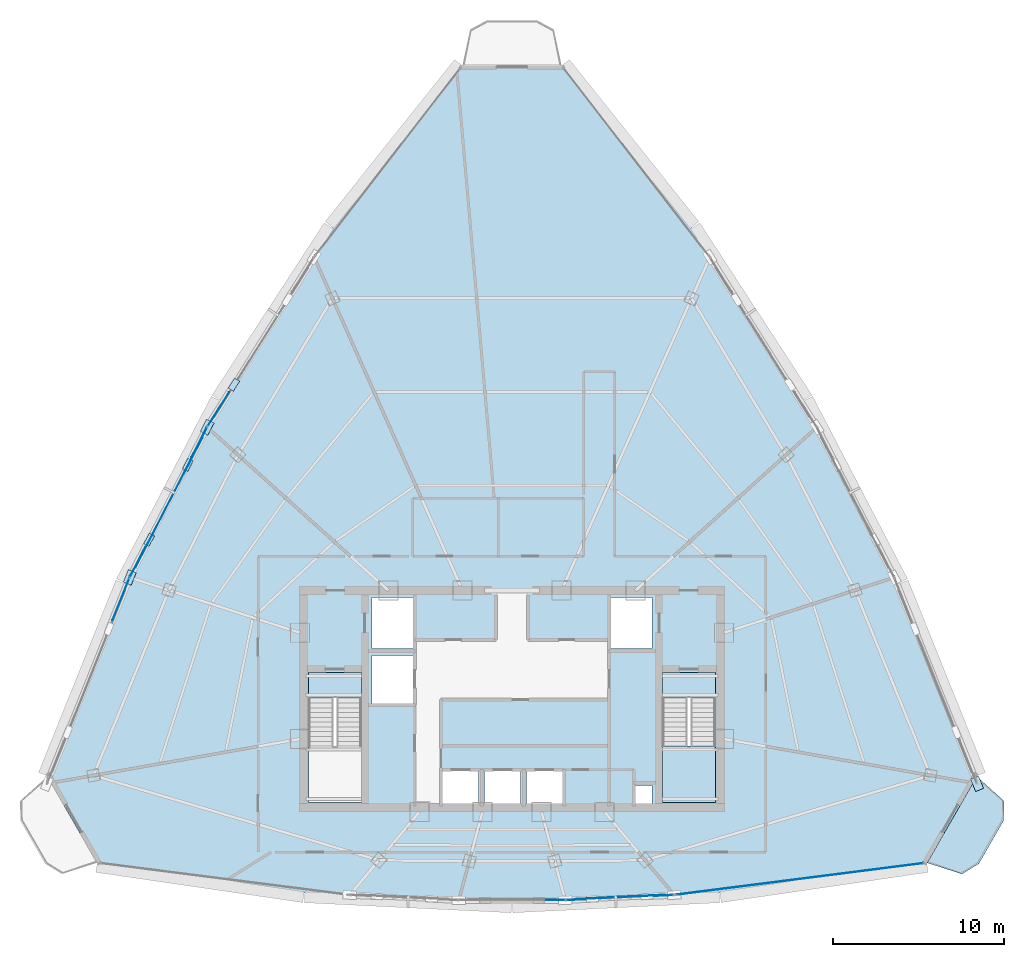
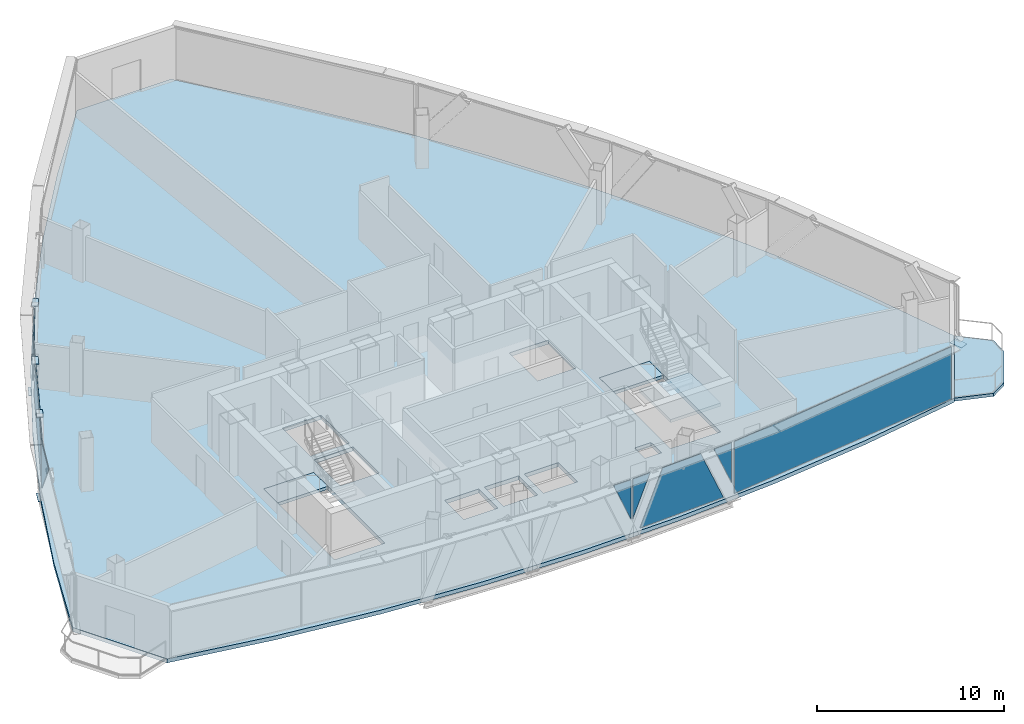
# One storey, part 23 of 30: 16 plates, 5 slabs, 8 elements without a shape of their own.
"""IFC4 building model written with IfcOpenShell, lengths in metres."""

import ifcopenshell
import ifcopenshell.guid

model = None  # the IFC model being written
_history = None  # IfcOwnerHistory: only IFC2X3 demands one
_inside = {}  # id of a spatial element -> (the spatial element, [elements in it])
_under = {}  # id of a project, library or spatial element -> (it, [spatial elements below it])
_declared = {}  # id of a project -> (the project, [libraries it declares])
_typed = {}  # id of a type object -> (the type object, [elements of that type])
_made_of = {}  # id of a material, layer set ... -> (it, [elements and type objects made of it])


def new_model(schema):
    """Start an empty IFC model of exactly this schema.

    Asked for "IFC4X3", IfcOpenShell would pick the latest addendum, in which some entities
    have other attributes; the version numbers below select the first issue.
    IFC2X3 requires an IfcOwnerHistory on every rooted entity: one is made here for all.
    """
    global model, _history
    if schema == "IFC4X3":
        model = ifcopenshell.file(schema_version=(4, 3, 0, 0))
    else:
        model = ifcopenshell.file(schema=schema)
    _inside.clear()
    _under.clear()
    _declared.clear()
    _typed.clear()
    _made_of.clear()
    _history = None
    if model.schema == "IFC2X3":
        org = make("IfcOrganization", Name="unknown")
        user = make(
            "IfcPersonAndOrganization",
            ThePerson=make("IfcPerson", FamilyName="unknown"),
            TheOrganization=org,
        )
        app = make(
            "IfcApplication",
            ApplicationDeveloper=org,
            Version="unknown",
            ApplicationFullName="unknown",
            ApplicationIdentifier="unknown",
        )
        _history = make(
            "IfcOwnerHistory",
            OwningUser=user,
            OwningApplication=app,
            ChangeAction="ADDED",
            CreationDate=0,
        )
    return model


def make(cls, **values):
    """One entity of the class cls with the attributes given. An attribute that is None is left unset."""
    return model.create_entity(
        cls, **{name: value for name, value in values.items() if value is not None}
    )


def rooted(cls, **values):
    """An entity with a GlobalId (a new one), such as an element, a storey or a relation."""
    return make(cls, GlobalId=ifcopenshell.guid.new(), OwnerHistory=_history, **values)


def si_unit(unit_type, name, prefix=None):
    """IfcSIUnit, for example si_unit("LENGTHUNIT", "METRE", prefix="MILLI")."""
    return make("IfcSIUnit", UnitType=unit_type, Prefix=prefix, Name=name)


def assignment(units):
    """IfcUnitAssignment: the units of a project."""
    return None if units is None else make("IfcUnitAssignment", Units=units)


def point(xyz):
    """IfcCartesianPoint."""
    return None if xyz is None else make("IfcCartesianPoint", Coordinates=xyz)


def direction(xyz):
    """IfcDirection."""
    return None if xyz is None else make("IfcDirection", DirectionRatios=xyz)


def frame(location, z_axis=None, x_axis=None):
    """IfcAxis2Placement3D, a coordinate frame: its origin and axes. An axis left out is left unset."""
    return make(
        "IfcAxis2Placement3D",
        Location=point(location),
        Axis=direction(z_axis),
        RefDirection=direction(x_axis),
    )


def frame_2d(location, x_axis=None):
    """IfcAxis2Placement2D, a coordinate frame in the plane: its origin and x axis."""
    return make(
        "IfcAxis2Placement2D", Location=point(location), RefDirection=direction(x_axis)
    )


def origin():
    """The frame at (0, 0, 0) with its axes left unset."""
    return frame((0.0, 0.0, 0.0))


def origin_2d():
    """The frame at (0, 0) in the plane with its x axis left unset."""
    return frame_2d((0.0, 0.0))


def place(relative_to, where):
    """IfcLocalPlacement: puts the frame where relative to a parent placement (None: the world)."""
    return make(
        "IfcLocalPlacement", PlacementRelTo=relative_to, RelativePlacement=where
    )


def context(
    kind, dimensions, precision=None, world=None, true_north=None, identifier=None
):
    """IfcGeometricRepresentationContext, for example the 3D "Model" context."""
    return make(
        "IfcGeometricRepresentationContext",
        ContextIdentifier=identifier,
        ContextType=kind,
        CoordinateSpaceDimension=dimensions,
        Precision=precision,
        WorldCoordinateSystem=world,
        TrueNorth=true_north,
    )


def subcontext(parent, identifier, kind, view, scale=None):
    """IfcGeometricRepresentationSubContext, for example "Body" below "Model"."""
    return make(
        "IfcGeometricRepresentationSubContext",
        ContextIdentifier=identifier,
        ContextType=kind,
        ParentContext=parent,
        TargetScale=scale,
        TargetView=view,
    )


def project(units=None, contexts=None):
    """IfcProject with its units and contexts."""
    return rooted(
        "IfcProject",
        Name="project",
        RepresentationContexts=contexts,
        UnitsInContext=assignment(units),
    )


def spatial(cls, under=None, at=None, **own):
    """A site, building, storey or space (cls), placed at a placement, below another one or the project."""
    s = rooted(cls, ObjectPlacement=at, **own)
    if under is not None:
        _under.setdefault(under.id(), (under, []))[1].append(s)
    return s


def polyline(points):
    """IfcPolyline through the points."""
    return make("IfcPolyline", Points=[point(p) for p in points])


def profile(cls, at=None, kind="AREA", **sizes):
    """A parametric profile (cls). Its sizes go by their IFC names, for example OverallWidth=200.0."""
    return make(cls, ProfileType=kind, Position=at, **sizes)


def rectangle(**sizes):
    """IfcRectangleProfileDef."""
    return profile("IfcRectangleProfileDef", **sizes)


def outline(outer, holes=None, kind="AREA"):
    """IfcArbitraryClosedProfileDef: a profile drawn as a closed curve; with holes, ...WithVoids."""
    if holes is None:
        return make("IfcArbitraryClosedProfileDef", ProfileType=kind, OuterCurve=outer)
    return make(
        "IfcArbitraryProfileDefWithVoids",
        ProfileType=kind,
        OuterCurve=outer,
        InnerCurves=holes,
    )


def extrude(swept, where, along, depth):
    """IfcExtrudedAreaSolid: the profile swept, set in the frame where, extruded along a direction by depth."""
    return make(
        "IfcExtrudedAreaSolid",
        SweptArea=swept,
        Position=where,
        ExtrudedDirection=direction(along),
        Depth=depth,
    )


def shape(context_of_items, identifier, shape_type, items):
    """IfcShapeRepresentation: the items that make up one representation, for example the "Body"."""
    return make(
        "IfcShapeRepresentation",
        ContextOfItems=context_of_items,
        RepresentationIdentifier=identifier,
        RepresentationType=shape_type,
        Items=items,
    )


def source(mapping_origin, context_of_items, identifier, shape_type, items):
    """IfcRepresentationMap: a shape defined once, which mapped items show again and again."""
    return make(
        "IfcRepresentationMap",
        MappingOrigin=mapping_origin,
        MappedRepresentation=shape(context_of_items, identifier, shape_type, items),
    )


def transform(
    local_origin,
    x_axis=None,
    y_axis=None,
    z_axis=None,
    scale=None,
    scale2=None,
    scale3=None,
    uniform=True,
):
    """IfcCartesianTransformationOperator3D, or its non-uniform kind. x_axis, y_axis, z_axis: its Axis1, 2, 3."""
    if uniform:
        return make(
            "IfcCartesianTransformationOperator3D",
            Axis1=direction(x_axis),
            Axis2=direction(y_axis),
            LocalOrigin=point(local_origin),
            Scale=scale,
            Axis3=direction(z_axis),
        )
    return make(
        "IfcCartesianTransformationOperator3DnonUniform",
        Axis1=direction(x_axis),
        Axis2=direction(y_axis),
        LocalOrigin=point(local_origin),
        Scale=scale,
        Axis3=direction(z_axis),
        Scale2=scale2,
        Scale3=scale3,
    )


def mapped(mapping_source, mapping_target):
    """IfcMappedItem: shows the shape of a source again, moved by a transform."""
    return make(
        "IfcMappedItem", MappingSource=mapping_source, MappingTarget=mapping_target
    )


def material(Name=None, Category=None):
    """IfcMaterial."""
    return make("IfcMaterial", Name=Name, Category=Category)


def layer(
    of_material, thickness, ventilated=None, Name=None, Category=None, Priority=None
):
    """IfcMaterialLayer: one layer of a wall or slab, of a material (None: an air gap)."""
    return make(
        "IfcMaterialLayer",
        Material=of_material,
        LayerThickness=thickness,
        IsVentilated=ventilated,
        Name=Name,
        Category=Category,
        Priority=Priority,
    )


def layer_set(layers, Name=None):
    """IfcMaterialLayerSet."""
    return make("IfcMaterialLayerSet", MaterialLayers=layers, LayerSetName=Name)


def made_of(thing, what):
    """Note that an element or type object is made of a material, layer set ...; save() writes the relation."""
    if what is not None:
        _made_of.setdefault(what.id(), (what, []))[1].append(thing)
    return thing


def type_object(cls, material=None, **own):
    """A type object (cls), such as IfcWallType, which elements share."""
    return made_of(rooted(cls, **own), material)


def element(
    cls,
    number,
    at=None,
    inside=None,
    cuts=None,
    type_object=None,
    material=None,
    context=None,
    identifier="Body",
    shape_type=None,
    held_by="IfcProductDefinitionShape",
    body=None,
    shapes=None,
    **own,
):
    """One element of the class cls, such as IfcWall. Its Tag is "e" and its number.

    at: its placement. inside: the storey or other place that contains it. cuts: it is an
    opening in that element (IfcRelVoidsElement). A single representation is given by context,
    identifier, shape_type and body (its items); several are given by shapes. held_by: the class
    of the entity that holds the representations. save() writes the other relations.
    """
    e = rooted(cls, Tag="e%d" % number, ObjectPlacement=at, **own)
    if body is not None:
        shapes = [shape(context, identifier, shape_type, body)]
    if shapes is not None:
        e.Representation = make(held_by, Representations=shapes)
    if inside is not None:
        _inside.setdefault(inside.id(), (inside, []))[1].append(e)
    if cuts is not None:
        rooted(
            "IfcRelVoidsElement", RelatingBuildingElement=cuts, RelatedOpeningElement=e
        )
    if type_object is not None:
        _typed.setdefault(type_object.id(), (type_object, []))[1].append(e)
    return made_of(e, material)


def aggregate(whole, parts):
    """IfcRelAggregates: a whole, such as a stair, and the parts it consists of."""
    return rooted("IfcRelAggregates", RelatingObject=whole, RelatedObjects=parts)


def save(model, path):
    """Write the relations noted so far, then the file.

    IfcRelAggregates (storeys below a building ...), IfcRelContainedInSpatialStructure (elements
    in a storey), IfcRelDefinesByType, IfcRelAssociatesMaterial and IfcRelDeclares: one each for
    every whole, place, type object, material and project.
    """
    for whole, parts in _under.values():
        aggregate(whole, parts)
    for where, things in _inside.values():
        rooted(
            "IfcRelContainedInSpatialStructure",
            RelatedElements=things,
            RelatingStructure=where,
        )
    for kind, things in _typed.values():
        rooted("IfcRelDefinesByType", RelatedObjects=things, RelatingType=kind)
    for what, things in _made_of.values():
        rooted("IfcRelAssociatesMaterial", RelatedObjects=things, RelatingMaterial=what)
    for by, libraries in _declared.values():
        rooted("IfcRelDeclares", RelatingContext=by, RelatedDefinitions=libraries)
    model.write(path)


model = new_model("IFC4")

# Units and contexts
model_context = context("Model", 3, precision=1e-05, world=origin(), true_north=direction((0.0, 1.0)))
body_context = subcontext(model_context, "Body", "Model", "MODEL_VIEW")
ifc_project = project(units=[si_unit("LENGTHUNIT", "METRE"), si_unit("AREAUNIT", "SQUARE_METRE"), si_unit("VOLUMEUNIT", "CUBIC_METRE"), si_unit("PLANEANGLEUNIT", "RADIAN"), si_unit("MASSUNIT", "GRAM", prefix="KILO"), si_unit("THERMODYNAMICTEMPERATUREUNIT", "KELVIN"), si_unit("POWERUNIT", "WATT")], contexts=[model_context])

# Site, building, storey
site_placement = place(None, origin())
site = spatial("IfcSite", under=ifc_project, at=site_placement, CompositionType="ELEMENT")
building_placement = place(site_placement, origin())
building = spatial("IfcBuilding", under=site, at=building_placement, Name="Yunzhuo Pagoda Commons", CompositionType="ELEMENT")
storey_placement = place(building_placement, frame((0.0, 0.0, 351.760009765625)))
storey = spatial("IfcBuildingStorey", under=building, at=storey_placement, Name="L88", CompositionType="ELEMENT", Elevation=351.760009765625)

# Curtain wall, plate
ifc_material_1 = material(Name="Anodized aluminium 6063-T6", Category="aluminium")
ifc_layer_1 = layer(ifc_material_1, 0.139892578125)
ifc_layer_set_1 = layer_set([ifc_layer_1], Name="Anodized aluminium 6063-T6")
curtain_wall_type = type_object("IfcCurtainWallType", Name="CW-HI High-Zone Ribbon Curtain Wall", PredefinedType="NOTDEFINED", material=ifc_layer_set_1)
curtain_wall_1_placement = place(storey_placement, origin())
curtain_wall_1 = element("IfcCurtainWall", 1, at=curtain_wall_1_placement, inside=storey, type_object=curtain_wall_type, Name="L88 curtain wall CW-L88-F1B3", PredefinedType="NOTDEFINED")
ifc_material_2 = material(Name="Tempered low-e double glazing", Category="glass")
ifc_layer_2 = layer(ifc_material_2, 0.02587890625)
ifc_layer_set_2 = layer_set([ifc_layer_2], Name="Tempered low-e double glazing")
plate_type_1 = type_object("IfcPlateType", Name="CW-HI-P Low-E Double Glazing 26", PredefinedType="CURTAIN_PANEL", material=ifc_layer_set_2)
plate_1_placement = place(storey_placement, frame((50.520751953125, 22.1015625, 2.15576171875), z_axis=(0.0, -1.0, 0.0), x_axis=(1.0, 0.0, 0.0)))
plate_1 = element("IfcPlate", 2, at=plate_1_placement, type_object=plate_type_1, Name="CW panel 1.1 lite 3", PredefinedType="CURTAIN_PANEL", context=body_context, shape_type="SweptSolid", body=[
    extrude(outline(polyline([(-0.53076171875, 1.279296875), (0.53076171875, -1.279296875), (0.53076171875, 1.279296875), (-0.53076171875, 1.279296875)])), origin(), (0.0, 0.0, 1.0), 0.028076171875),
])
aggregate(curtain_wall_1, [plate_1])

# Curtain wall, plates
curtain_wall_2_placement = place(storey_placement, origin())
curtain_wall_2 = element("IfcCurtainWall", 3, at=curtain_wall_2_placement, inside=storey, type_object=curtain_wall_type, Name="L88 curtain wall CW-L88-F1B4", PredefinedType="NOTDEFINED")
plate_2_placement = place(storey_placement, frame((51.7197265625, 22.130859375, 2.143310546875), z_axis=(0.047859147719, -0.99885409444, 0.0), x_axis=(0.99885409444, 0.047859147719, 0.0)))
plate_2 = element("IfcPlate", 4, at=plate_2_placement, type_object=plate_type_1, Name="CW panel 1.1 lite 1", PredefinedType="CURTAIN_PANEL", context=body_context, shape_type="SweptSolid", body=[
    extrude(outline(polyline([(-0.5498046875, -1.291748046875), (0.5498046875, 1.291748046875), (-0.5498046875, 1.291748046875), (-0.5498046875, -1.291748046875)])), origin(), (0.0, 0.0, 1.0), 0.028076171875),
])
plate_3_placement = place(storey_placement, frame((54.29736328125, 22.284423828125, 1.744873046875), z_axis=(0.047859147719, -0.99885409444, 0.0), x_axis=(0.99885409444, 0.047859147719, 0.0)))
plate_3 = element("IfcPlate", 5, at=plate_3_placement, type_object=plate_type_1, Name="CW panel 1.1 lite 2", PredefinedType="CURTAIN_PANEL", context=body_context, shape_type="SweptSolid", body=[
    extrude(outline(polyline([(-2.64453125, -1.68994140625), (2.64453125, -1.68994140625), (1.206298828125, 1.68994140625), (-1.206298828125, 1.68994140625), (-2.64453125, -1.68994140625)])), origin(), (0.0, 0.0, 1.0), 0.028076171875),
])
plate_4_placement = place(storey_placement, frame((56.877685546875, 22.3779296875, 2.143310546875), z_axis=(0.047859147719, -0.99885409444, 0.0), x_axis=(0.99885409444, 0.047859147719, 0.0)))
plate_4 = element("IfcPlate", 6, at=plate_4_placement, type_object=plate_type_1, Name="CW panel 1.1 lite 3", PredefinedType="CURTAIN_PANEL", context=body_context, shape_type="SweptSolid", body=[
    extrude(outline(polyline([(-0.5498046875, 1.291748046875), (0.5498046875, -1.291748046875), (0.5498046875, 1.291748046875), (-0.5498046875, 1.291748046875)])), origin(), (0.0, 0.0, 1.0), 0.028076171875),
])
aggregate(curtain_wall_2, [plate_2, plate_3, plate_4])

# Curtain wall, plate
curtain_wall_3_placement = place(storey_placement, origin())
curtain_wall_3 = element("IfcCurtainWall", 7, at=curtain_wall_3_placement, inside=storey, type_object=curtain_wall_type, Name="L88 curtain wall CW-L88-F3B2", PredefinedType="NOTDEFINED")
plate_5_placement = place(storey_placement, frame((30.844970703125, 50.787353515625, 1.93408203125), z_axis=(-0.846524621891, 0.532349569861, 0.0), x_axis=(-0.532349569861, -0.846524621891, 0.0)))
plate_5 = element("IfcPlate", 8, at=plate_5_placement, type_object=plate_type_1, Name="CW panel 1.1 lite 3", PredefinedType="CURTAIN_PANEL", context=body_context, shape_type="SweptSolid", body=[
    extrude(outline(polyline([(-1.17529296875, 1.5009765625), (1.17529296875, -1.5009765625), (1.17529296875, 1.5009765625), (-1.17529296875, 1.5009765625)])), origin(), (0.0, 0.0, 1.0), 0.028076171875),
])
aggregate(curtain_wall_3, [plate_5])

# Curtain wall, plates
curtain_wall_4_placement = place(storey_placement, origin())
curtain_wall_4 = element("IfcCurtainWall", 9, at=curtain_wall_4_placement, inside=storey, type_object=curtain_wall_type, Name="L88 curtain wall CW-L88-F3B3", PredefinedType="NOTDEFINED")
plate_6_placement = place(storey_placement, frame((29.720703125, 48.83642578125, 1.978271484375), z_axis=(-0.888845723113, 0.458206591511, 0.0), x_axis=(-0.458206591511, -0.888845723113, 0.0)))
plate_6 = element("IfcPlate", 10, at=plate_6_placement, type_object=plate_type_1, Name="CW panel 1.1 lite 1", PredefinedType="CURTAIN_PANEL", context=body_context, shape_type="SweptSolid", body=[
    extrude(outline(polyline([(-0.9599609375, -1.456787109375), (0.9599609375, 1.456787109375), (-0.9599609375, 1.456787109375), (-0.9599609375, -1.456787109375)])), origin(), (0.0, 0.0, 1.0), 0.028076171875),
])
plate_7_placement = place(storey_placement, frame((27.949951171875, 45.336181640625, 1.744873046875), z_axis=(-0.888845723113, 0.458206591511, 0.0), x_axis=(-0.458206591511, -0.888845723113, 0.0)))
plate_7 = element("IfcPlate", 11, at=plate_7_placement, type_object=plate_type_1, Name="CW panel 1.1 lite 2", PredefinedType="CURTAIN_PANEL", context=body_context, shape_type="SweptSolid", body=[
    extrude(outline(polyline([(-4.27978515625, -1.68994140625), (4.27978515625, -1.68994140625), (2.052490234375, 1.68994140625), (-2.052490234375, 1.68994140625), (-4.27978515625, -1.68994140625)])), origin(), (0.0, 0.0, 1.0), 0.028076171875),
])
plate_8_placement = place(storey_placement, frame((26.1259765625, 41.863525390625, 1.978271484375), z_axis=(-0.888845723113, 0.458206591511, 0.0), x_axis=(-0.458206591511, -0.888845723113, 0.0)))
plate_8 = element("IfcPlate", 12, at=plate_8_placement, type_object=plate_type_1, Name="CW panel 1.1 lite 3", PredefinedType="CURTAIN_PANEL", context=body_context, shape_type="SweptSolid", body=[
    extrude(outline(polyline([(-0.9599609375, 1.456787109375), (0.9599609375, -1.456787109375), (0.9599609375, 1.456787109375), (-0.9599609375, 1.456787109375)])), origin(), (0.0, 0.0, 1.0), 0.028076171875),
])
aggregate(curtain_wall_4, [plate_6, plate_7, plate_8])

# Curtain wall, plate
curtain_wall_5_placement = place(storey_placement, origin())
curtain_wall_5 = element("IfcCurtainWall", 13, at=curtain_wall_5_placement, inside=storey, type_object=curtain_wall_type, Name="L88 curtain wall CW-L88-F3B4", PredefinedType="NOTDEFINED")
plate_9_placement = place(storey_placement, frame((25.1455078125, 39.678466796875, 1.912353515625), z_axis=(-0.92803921175, 0.372482511608, 0.0), x_axis=(-0.372482511608, -0.92803921175, 0.0)))
plate_9 = element("IfcPlate", 14, at=plate_9_placement, type_object=plate_type_1, Name="CW panel 1.1 lite 1", PredefinedType="CURTAIN_PANEL", context=body_context, shape_type="SweptSolid", body=[
    extrude(outline(polyline([(-1.31884765625, -1.522705078125), (1.31884765625, 1.522705078125), (-1.31884765625, 1.522705078125), (-1.31884765625, -1.522705078125)])), origin(), (0.0, 0.0, 1.0), 0.028076171875),
])
aggregate(curtain_wall_5, [plate_9])

# Slab
ifc_material_3 = material(Name="Concrete C40", Category="concrete")
ifc_layer_3 = layer(ifc_material_3, 0.199951171875)
ifc_layer_set_3 = layer_set([ifc_layer_3], Name="Concrete C40")
slab_type_1 = type_object("IfcSlabType", Name="SL-BAL Vertex Balcony Deck Slab 200", PredefinedType="FLOOR", material=ifc_layer_set_3)
slab_1_placement = place(storey_placement, frame((0.0, 0.0, -0.199951171875)))
element("IfcSlab", 15, at=slab_1_placement, inside=storey, type_object=slab_type_1, Name="L88 corner balcony V2", PredefinedType="FLOOR", context=body_context, shape_type="SweptSolid", body=[
    extrude(outline(polyline([(72.277587890625, 24.274658203125), (75.1767578125, 29.323974609375), (76.76953125, 27.890625), (76.74560546875, 26.74462890625), (75.296142578125, 24.219970703125), (74.318359375, 23.62158203125), (72.277587890625, 24.274658203125)])), origin(), (0.0, 0.0, 1.0), 0.199951171875),
])

# Stair, slab
stair_type_1 = type_object("IfcStairType", Name="ST-C1 Core Smokeproof Stair ST1", PredefinedType="HALF_TURN_STAIR", material=ifc_material_3)
stair_1_placement = place(storey_placement, origin())
stair_1 = element("IfcStair", 16, at=stair_1_placement, inside=storey, type_object=stair_type_1, Name="L88 Core smokeproof stair ST1", PredefinedType="HALF_TURN_STAIR")
ifc_layer_4 = layer(ifc_material_3, 0.199951171875)
ifc_layer_set_4 = layer_set([ifc_layer_4], Name="Concrete C40")
slab_type_2 = type_object("IfcSlabType", Name="SL-LND1 Stair Landing Slab 200", PredefinedType="LANDING", material=ifc_layer_set_4)
slab_2_placement = place(storey_placement, frame((0.0, 0.0, -0.199951171875)))
slab_2 = element("IfcSlab", 17, at=slab_2_placement, type_object=slab_type_2, Name="ST1 floor landing L88", PredefinedType="LANDING", context=body_context, shape_type="SweptSolid", body=[
    extrude(outline(polyline([(36.10009765625, 35.39990234375), (36.10009765625, 33.89990234375), (39.199951171875, 33.89990234375), (39.199951171875, 35.39990234375), (36.10009765625, 35.39990234375)])), origin(), (0.0, 0.0, 1.0), 0.199951171875),
])
aggregate(stair_1, [slab_2])

# Stair, slabs
stair_type_2 = type_object("IfcStairType", Name="ST-C2 Core Smokeproof Stair ST2", PredefinedType="HALF_TURN_STAIR", material=ifc_material_3)
stair_2_placement = place(storey_placement, origin())
stair_2 = element("IfcStair", 18, at=stair_2_placement, inside=storey, type_object=stair_type_2, Name="L88 Core smokeproof stair ST2", PredefinedType="HALF_TURN_STAIR")
ifc_layer_5 = layer(ifc_material_3, 0.201904296875)
ifc_layer_set_5 = layer_set([ifc_layer_5], Name="Concrete C40")
slab_type_3 = type_object("IfcSlabType", Name="SL-LND2 Stair Landing Slab 202", PredefinedType="LANDING", material=ifc_layer_set_5)
slab_3_placement = place(storey_placement, frame((0.0, 0.0, 1.675048828125)))
slab_3 = element("IfcSlab", 19, at=slab_3_placement, type_object=slab_type_3, Name="ST2 landing 1", PredefinedType="LANDING", context=body_context, shape_type="SweptSolid", body=[
    extrude(outline(polyline([(56.800048828125, 31.10009765625), (56.800048828125, 27.800048828125), (59.89990234375, 27.800048828125), (59.89990234375, 31.10009765625), (56.800048828125, 31.10009765625)])), origin(), (0.0, 0.0, 1.0), 0.199951171875),
])
slab_4_placement = place(storey_placement, frame((0.0, 0.0, -0.199951171875)))
slab_4 = element("IfcSlab", 20, at=slab_4_placement, type_object=slab_type_3, Name="ST2 floor landing L88", PredefinedType="LANDING", context=body_context, shape_type="SweptSolid", body=[
    extrude(outline(polyline([(56.800048828125, 35.39990234375), (56.800048828125, 33.89990234375), (59.89990234375, 33.89990234375), (59.89990234375, 35.39990234375), (56.800048828125, 35.39990234375)])), origin(), (0.0, 0.0, 1.0), 0.199951171875),
])
aggregate(stair_2, [slab_3, slab_4])

# Slab
ifc_layer_6 = layer(ifc_material_3, 0.260009765625)
ifc_layer_set_6 = layer_set([ifc_layer_6], Name="Concrete C40")
slab_type_4 = type_object("IfcSlabType", Name="SL-TWR Typical Tower Floor Slab 260", PredefinedType="FLOOR", material=ifc_layer_set_6)
slab_5_placement = place(storey_placement, frame((0.0, 0.0, -0.260009765625)))
element("IfcSlab", 21, at=slab_5_placement, inside=storey, type_object=slab_type_4, Name="L88 structural floor slab", PredefinedType="FLOOR", context=body_context, shape_type="SweptSolid", body=[
    extrude(outline(polyline([(22.96923828125, 35.04541015625), (25.36572265625, 40.615234375), (28.017333984375, 46.036376953125), (30.924072265625, 51.30859375), (34.085693359375, 56.43212890625), (37.50244140625, 61.406494140625), (41.174072265625, 66.232177734375), (45.100830078125, 70.908935546875), (50.899169921875, 70.908935546875), (54.825927734375, 66.232177734375), (58.49755859375, 61.406494140625), (61.914306640625, 56.43212890625), (65.075927734375, 51.30859375), (67.982666015625, 46.036376953125), (70.63427734375, 40.615234375), (73.03076171875, 35.04541015625), (75.17236328125, 29.326416015625), (72.273193359375, 24.277099609375), (66.204833984375, 23.24365234375), (60.13671875, 22.50537109375), (54.068359375, 22.0625), (48.0, 21.914794921875), (41.931640625, 22.0625), (35.86328125, 22.50537109375), (29.795166015625, 23.24365234375), (23.726806640625, 24.277099609375), (20.82763671875, 29.326416015625), (22.96923828125, 35.04541015625)]), holes=[polyline([(56.179931640625, 28.800048828125), (55.179931640625, 28.800048828125), (55.179931640625, 27.699951171875), (56.179931640625, 27.699951171875), (56.179931640625, 28.800048828125)]), polyline([(46.050048828125, 29.64990234375), (43.949951171875, 29.64990234375), (43.949951171875, 27.60009765625), (46.050048828125, 27.60009765625), (46.050048828125, 29.64990234375)]), polyline([(48.5, 29.64990234375), (46.39990234375, 29.64990234375), (46.39990234375, 27.60009765625), (48.5, 27.60009765625), (48.5, 29.64990234375)]), polyline([(50.949951171875, 29.64990234375), (48.85009765625, 29.64990234375), (48.85009765625, 27.60009765625), (50.949951171875, 27.60009765625), (50.949951171875, 29.64990234375)]), polyline([(39.199951171875, 27.800048828125), (39.199951171875, 35.39990234375), (36.10009765625, 35.39990234375), (36.10009765625, 27.800048828125), (39.199951171875, 27.800048828125)]), polyline([(59.89990234375, 27.800048828125), (59.89990234375, 35.39990234375), (56.800048828125, 35.39990234375), (56.800048828125, 27.800048828125), (59.89990234375, 27.800048828125)]), polyline([(42.199951171875, 36.39990234375), (39.800048828125, 36.39990234375), (39.800048828125, 33.60009765625), (42.199951171875, 33.60009765625), (42.199951171875, 36.39990234375)]), polyline([(42.199951171875, 36.800048828125), (42.199951171875, 39.800048828125), (39.800048828125, 39.800048828125), (39.800048828125, 36.800048828125), (42.199951171875, 36.800048828125)]), polyline([(56.199951171875, 36.800048828125), (56.199951171875, 39.800048828125), (53.800048828125, 39.800048828125), (53.800048828125, 36.800048828125), (56.199951171875, 36.800048828125)])]), origin(), (0.0, 0.0, 1.0), 0.260009765625),
])

# Plates
ifc_material_4 = material(Name="Structural steel Q355B", Category="steel")
ifc_layer_7 = layer(ifc_material_4, 0.028076171875)
ifc_layer_set_7 = layer_set([ifc_layer_7], Name="Structural steel Q355B")
plate_type_2 = type_object("IfcPlateType", Name="SP-ND1 Lattice Node Cap Plate 800x500x28", PredefinedType="USERDEFINED", material=ifc_layer_set_7)
shared_shape_1 = source(origin(), body_context, "Body", "SweptSolid", [
    extrude(rectangle(XDim=0.800048828125, YDim=0.5, at=origin_2d()), origin(), (0.0, 0.0, 1.0), 0.028076171875),
])
for number, where, z_axis, x_axis, name in (
    (22, (75.193603515625, 28.905029296875, -0.27392578125), (0.0, 0.0, 1.0), (-0.372485720283, 0.928037923894, 0.0), "L88 diamond node plate F2.1A"),
    (23, (30.175537109375, 49.749267578125, -0.27392578125), (0.0, 0.0, 1.0), (-0.458199726156, -0.888849262221, 0.0), "L88 diamond node plate F3.2A"),
    (24, (25.646240234375, 40.963134765625, -0.27392578125), (0.0, 0.0, 1.0), (-0.372485720283, -0.928037923894, 0.0), "L88 diamond node plate F3.3A"),
):
    element("IfcPlate", number, at=place(storey_placement, frame(where, z_axis=z_axis, x_axis=x_axis)), inside=storey, type_object=plate_type_2, Name=name, ObjectType="STIFFENER_PLATE", PredefinedType="USERDEFINED", context=body_context, shape_type="MappedRepresentation", body=[
        mapped(shared_shape_1, transform((0.0, 0.0, 0.0), scale=1.0)),
    ])
shared_shape_2 = source(origin(), body_context, "Body", "SweptSolid", [
    extrude(rectangle(XDim=0.699951171875, YDim=0.35009765625, at=origin_2d()), origin(), (0.0, 0.0, 1.0), 0.035888671875),
])
for number, where, z_axis, x_axis, name in (
    (25, (31.738525390625, 52.23486328125, 3.4521484375), (0.0, 0.0, 1.0), (-0.532344492073, -0.846527815113, 0.0), "L88 setback lattice tie plate F3.1R"),
    (26, (29.043212890625, 47.552734375, 3.4521484375), (0.0, 0.0, 1.0), (-0.458199726156, -0.888849262221, 0.0), "L88 setback lattice tie plate F3.2L"),
    (27, (26.778564453125, 43.15966796875, 3.4521484375), (0.0, 0.0, 1.0), (-0.458199726156, -0.888849262221, 0.0), "L88 setback lattice tie plate F3.2R"),
):
    element("IfcPlate", number, at=place(storey_placement, frame(where, z_axis=z_axis, x_axis=x_axis)), inside=storey, type_object=plate_type_2, Name=name, ObjectType="STIFFENER_PLATE", PredefinedType="USERDEFINED", context=body_context, shape_type="MappedRepresentation", body=[
        mapped(shared_shape_2, transform((0.0, 0.0, 0.0), scale=1.0)),
    ])

# Curtain wall, plate
curtain_wall_6_placement = place(storey_placement, origin())
curtain_wall_6 = element("IfcCurtainWall", 28, at=curtain_wall_6_placement, inside=storey, type_object=curtain_wall_type, Name="L88 curtain wall CW-L88-F1B5", PredefinedType="NOTDEFINED")
shared_shape_3 = source(origin(), body_context, "Body", "SweptSolid", [
    extrude(rectangle(XDim=14.54931640625, YDim=0.028076171875, at=origin_2d()), origin(), (0.0, 0.0, 1.0), 3.3798828125),
])
plate_10_placement = place(storey_placement, frame((64.837646484375, 23.3310546875, 0.054931640625), z_axis=(0.0, 0.0, 1.0), x_axis=(0.991957593696, 0.126570661327, 0.0)))
plate_10 = element("IfcPlate", 29, at=plate_10_placement, type_object=plate_type_1, Name="CW panel 1.1", PredefinedType="CURTAIN_PANEL", context=body_context, shape_type="MappedRepresentation", body=[
    mapped(shared_shape_3, transform((0.0, 0.0, 0.0), scale=1.0)),
])
aggregate(curtain_wall_6, [plate_10])

save(model, "model.ifc")
